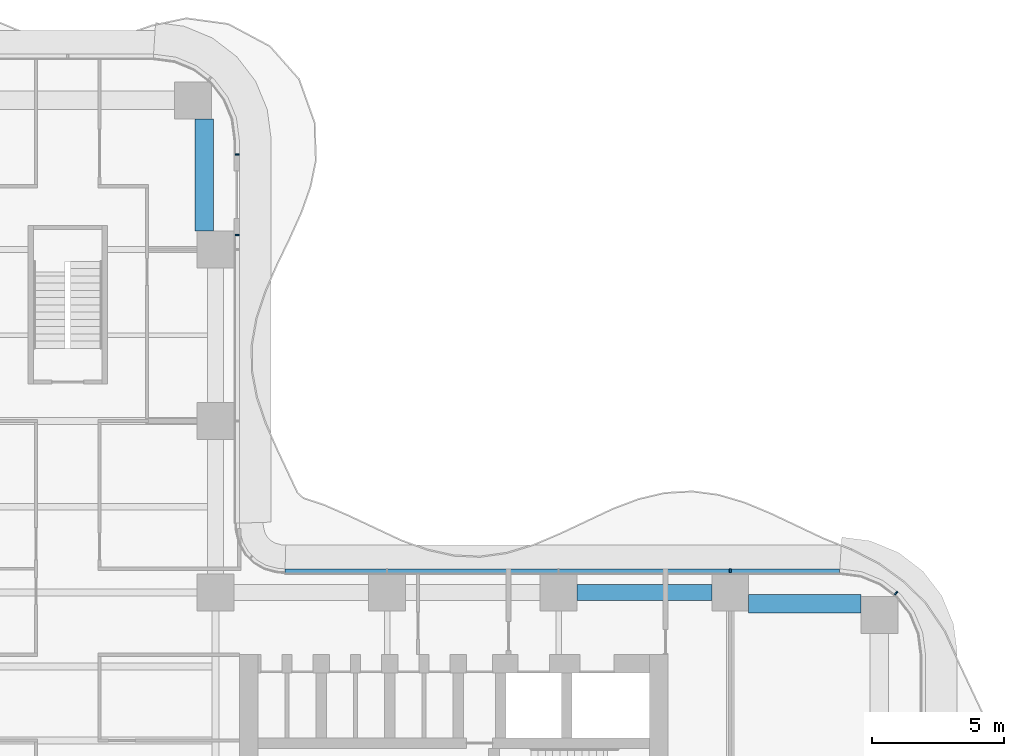
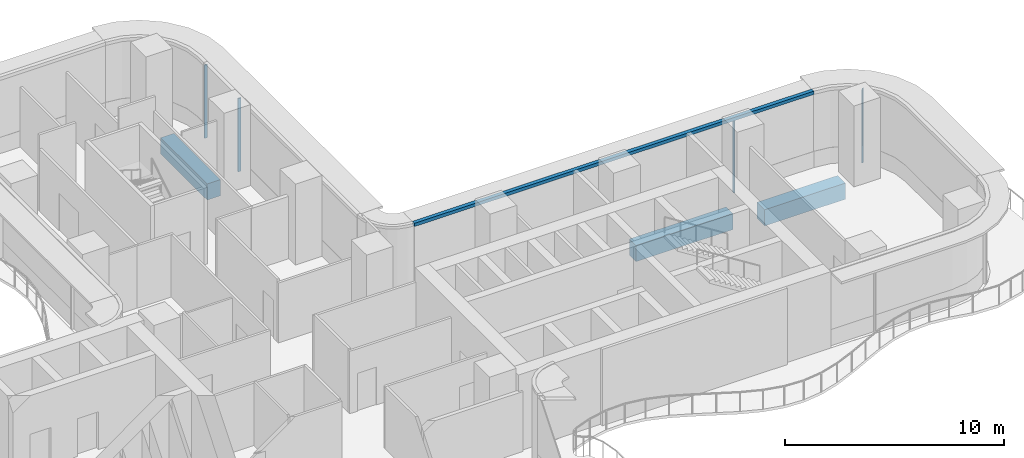
# One storey, part 11 of 23: 5 members, 3 beams, 4 elements without a shape of their own.
"""IFC4 building model written with IfcOpenShell, lengths in metres."""

from ifc_helpers import new_model, si_unit, direction, frame, origin, origin_2d, place, context, subcontext, project, spatial, polyline, rectangle, outline, extrude, source, transform, mapped, material, layer, layer_set, material_profile, profile_set, type_object, element, aggregate, save


model = new_model("IFC4")

# Units and contexts
model_context = context("Model", 3, precision=1e-05, world=origin(), true_north=direction((0.0, 1.0)))
body_context = subcontext(model_context, "Body", "Model", "MODEL_VIEW")
ifc_project = project(units=[si_unit("LENGTHUNIT", "METRE"), si_unit("AREAUNIT", "SQUARE_METRE"), si_unit("VOLUMEUNIT", "CUBIC_METRE"), si_unit("PLANEANGLEUNIT", "RADIAN"), si_unit("MASSUNIT", "GRAM", prefix="KILO")], contexts=[model_context])

# Site, building, storey
site_placement = place(None, origin())
site = spatial("IfcSite", under=ifc_project, at=site_placement, CompositionType="ELEMENT")
building_placement = place(site_placement, origin())
building = spatial("IfcBuilding", under=site, at=building_placement, Name="Trellis Farm Tower", CompositionType="ELEMENT")
storey_placement = place(building_placement, frame((0.0, 0.0, 83.5)))
storey = spatial("IfcBuildingStorey", under=building, at=storey_placement, Name="L17", CompositionType="ELEMENT", Elevation=83.5)

# Beams
ifc_material_1 = material(Name="Concrete C60/75", Category="concrete")
ifc_material_profile_1 = material_profile(ifc_material_1, rectangle(XDim=0.60009765625, YDim=0.89990234375, at=origin_2d()), Name="RC spandrel beam 600x900 C60/75")
ifc_profile_set_1 = profile_set([ifc_material_profile_1], Name="Concrete C60/75")
beam_type_1 = type_object("IfcBeamType", Name="RC spandrel beam 600x900 C60/75", PredefinedType="SPANDREL", material=ifc_profile_set_1)
shared_shape_1 = source(origin(), body_context, "Body", "SweptSolid", [
    extrude(rectangle(XDim=0.60009765625, YDim=0.89990234375, at=origin_2d()), origin(), (0.0, 0.0, 1.0), 5.099853515625),
])
beam_placement = place(storey_placement, frame((19.300048828125, 5.60009765625, -0.699951171875), z_axis=(1.0, 0.0, 0.0), x_axis=(0.0, 1.0, 0.0)))
element("IfcBeam", 1, at=beam_placement, inside=storey, type_object=beam_type_1, Name="Girder", PredefinedType="SPANDREL", context=body_context, shape_type="MappedRepresentation", body=[
    mapped(shared_shape_1, transform((0.0, 0.0, 0.0))),
])
ifc_material_profile_2 = material_profile(ifc_material_1, rectangle(XDim=0.699951171875, YDim=0.89990234375, at=origin_2d()), Name="RC spandrel beam 700x900 C60/75")
ifc_profile_set_2 = profile_set([ifc_material_profile_2], Name="Concrete C60/75")
beam_type_2 = type_object("IfcBeamType", Name="RC spandrel beam 700x900 C60/75", PredefinedType="SPANDREL", material=ifc_profile_set_2)
shared_shape_2 = source(origin(), body_context, "Body", "SweptSolid", [
    extrude(rectangle(XDim=0.699951171875, YDim=0.89990234375, at=origin_2d()), origin(), (0.0, 0.0, 1.0), 4.25),
])
for number, where, z_axis, x_axis, name in (
    (2, (25.800048828125, 5.175048828125, -0.699951171875), (1.0, 0.0, 0.0), (0.0, 1.0, 0.0), "Girder"),
    (3, (5.175048828125, 19.300048828125, -0.699951171875), (0.0, 1.0, 0.0), (-1.0, 0.0, 0.0), "Girder"),
):
    element("IfcBeam", number, at=place(storey_placement, frame(where, z_axis=z_axis, x_axis=x_axis)), inside=storey, type_object=beam_type_2, Name=name, PredefinedType="SPANDREL", context=body_context, shape_type="MappedRepresentation", body=[
        mapped(shared_shape_2, transform((0.0, 0.0, 0.0))),
    ])

# Curtain wall, member
ifc_material_2 = material(Name="Aluminium and glass curtain wall", Category="aluminium")
ifc_layer_1 = layer(ifc_material_2, 0.18994140625)
ifc_layer_set_1 = layer_set([ifc_layer_1], Name="RIBBON CURTAIN WALL CW1")
curtain_wall_type = type_object("IfcCurtainWallType", Name="RIBBON CURTAIN WALL CW1", PredefinedType="NOTDEFINED", material=ifc_layer_set_1)
placement = place(storey_placement, origin())
curtain_wall_1 = element("IfcCurtainWall", 4, at=placement, inside=storey, type_object=curtain_wall_type, Name="CW1 006", PredefinedType="NOTDEFINED")
ifc_material_3 = material(Name="Aluminium extrusion 6063-T6", Category="aluminium")
ifc_material_profile_3 = material_profile(ifc_material_3, rectangle(XDim=0.06005859375, YDim=0.14990234375, at=origin_2d()), Name="MULLION 60x150")
ifc_profile_set_3 = profile_set([ifc_material_profile_3], Name="Aluminium extrusion 6063-T6")
member_type_1 = type_object("IfcMemberType", Name="CW1 MULLION 60x150", PredefinedType="MULLION", material=ifc_profile_set_3)
shared_shape_3 = source(origin(), body_context, "Body", "SweptSolid", [
    extrude(rectangle(XDim=0.06005859375, YDim=0.14990234375, at=origin_2d()), origin(), (0.0, 0.0, 1.0), 4.070068359375),
])
member_1_placement = place(storey_placement, frame((31.385498046875, 5.578369140625, 0.0), z_axis=(0.0, 0.0, 1.0), x_axis=(-0.793353340291, 0.608761429009, 0.0)))
member_1 = element("IfcMember", 5, at=member_1_placement, type_object=member_type_1, Name="MU1 006-02", PredefinedType="MULLION", context=body_context, shape_type="MappedRepresentation", body=[
    mapped(shared_shape_3, transform((0.0, 0.0, 0.0))),
])
aggregate(curtain_wall_1, [member_1])

curtain_wall_2 = element("IfcCurtainWall", 6, at=placement, inside=storey, type_object=curtain_wall_type, Name="CW1 007", PredefinedType="NOTDEFINED")
member_2_placement = place(storey_placement, frame((25.10009765625, 6.425048828125, 0.0), z_axis=(0.0, 0.0, 1.0), x_axis=(-1.0, 0.0, 0.0)))
member_2 = element("IfcMember", 7, at=member_2_placement, type_object=member_type_1, Name="MU1 007-01", PredefinedType="MULLION", context=body_context, shape_type="MappedRepresentation", body=[
    mapped(shared_shape_3, transform((0.0, 0.0, 0.0))),
])

curtain_wall_3 = element("IfcCurtainWall", 8, at=placement, inside=storey, type_object=curtain_wall_type, Name="CW1 008", PredefinedType="NOTDEFINED")
member_3_placement = place(storey_placement, frame((6.425048828125, 19.14501953125, 0.0), z_axis=(0.0, 0.0, 1.0), x_axis=(0.0, 1.0, 0.0)))
member_3 = element("IfcMember", 9, at=member_3_placement, type_object=member_type_1, Name="MU1 008-03", PredefinedType="MULLION", context=body_context, shape_type="MappedRepresentation", body=[
    mapped(shared_shape_3, transform((0.0, 0.0, 0.0))),
])
aggregate(curtain_wall_3, [member_3])

curtain_wall_4 = element("IfcCurtainWall", 10, at=placement, inside=storey, type_object=curtain_wall_type, Name="CW1 009", PredefinedType="NOTDEFINED")
member_4_placement = place(storey_placement, frame((6.425048828125, 22.205078125, 0.0), z_axis=(0.0, 0.0, 1.0), x_axis=(0.0, 1.0, 0.0)))
member_4 = element("IfcMember", 11, at=member_4_placement, type_object=member_type_1, Name="MU1 009-01", PredefinedType="MULLION", context=body_context, shape_type="MappedRepresentation", body=[
    mapped(shared_shape_3, transform((0.0, 0.0, 0.0))),
])
aggregate(curtain_wall_4, [member_4])

# Member
ifc_layer_2 = layer(ifc_material_3, 0.199951171875)
ifc_layer_set_2 = layer_set([ifc_layer_2], Name="Aluminium extrusion 6063-T6")
member_type_2 = type_object("IfcMemberType", Name="CW1 TRANSOM 200x180", PredefinedType="USERDEFINED", material=ifc_layer_set_2)
shared_shape_4 = source(origin(), body_context, "Body", "SweptSolid", [
    extrude(outline(polyline([(29.25, 6.5), (8.2314453125, 6.5), (8.224853515625, 6.300048828125), (29.23681640625, 6.300048828125), (29.25, 6.5)])), origin(), (0.0, 0.0, 1.0), 0.179931640625),
])
member_5_placement = place(storey_placement, frame((0.0, 0.0, 4.070068359375)))
member_5 = element("IfcMember", 12, at=member_5_placement, type_object=member_type_2, Name="TR1 007", ObjectType="TRANSOM", PredefinedType="USERDEFINED", context=body_context, shape_type="MappedRepresentation", body=[
    mapped(shared_shape_4, transform((0.0, 0.0, 0.0))),
])

aggregate(curtain_wall_2, [member_2, member_5])

save(model, "model.ifc")
